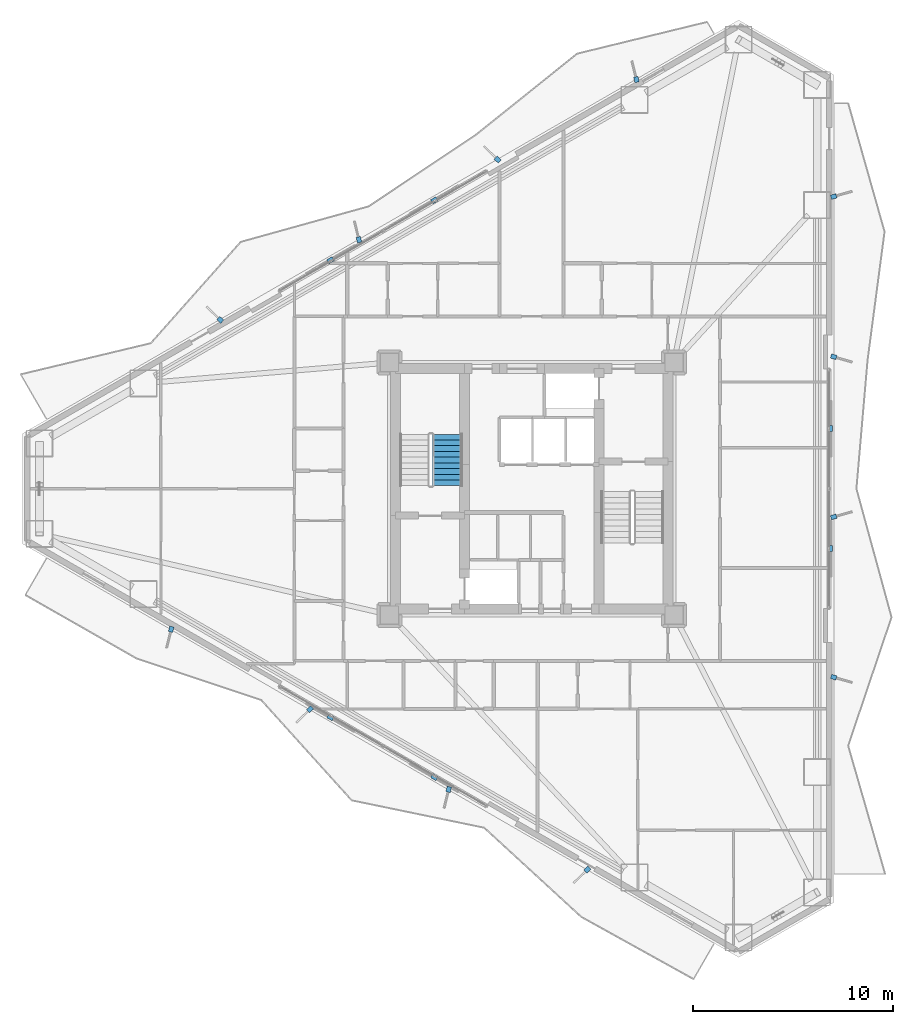
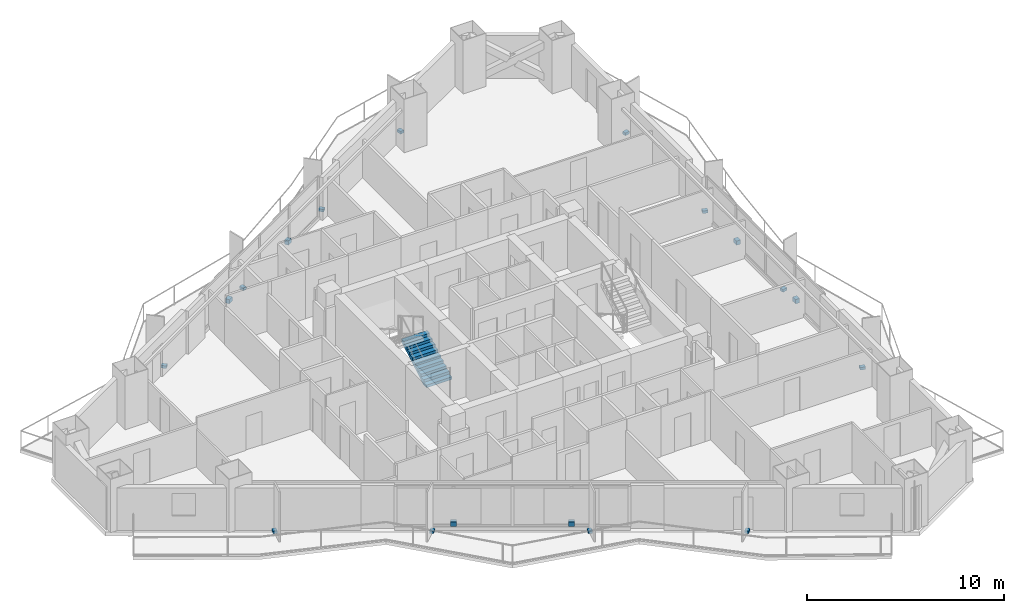
# One storey, part 17 of 19: 18 discrete accessories, 1 stair flight, 1 element without a shape of its own.
"""IFC4 building model written with IfcOpenShell, lengths in metres."""

import ifcopenshell
import ifcopenshell.guid

model = None  # the IFC model being written
_history = None  # IfcOwnerHistory: only IFC2X3 demands one
_inside = {}  # id of a spatial element -> (the spatial element, [elements in it])
_under = {}  # id of a project, library or spatial element -> (it, [spatial elements below it])
_declared = {}  # id of a project -> (the project, [libraries it declares])
_typed = {}  # id of a type object -> (the type object, [elements of that type])
_made_of = {}  # id of a material, layer set ... -> (it, [elements and type objects made of it])


def new_model(schema):
    """Start an empty IFC model of exactly this schema.

    Asked for "IFC4X3", IfcOpenShell would pick the latest addendum, in which some entities
    have other attributes; the version numbers below select the first issue.
    IFC2X3 requires an IfcOwnerHistory on every rooted entity: one is made here for all.
    """
    global model, _history
    if schema == "IFC4X3":
        model = ifcopenshell.file(schema_version=(4, 3, 0, 0))
    else:
        model = ifcopenshell.file(schema=schema)
    _inside.clear()
    _under.clear()
    _declared.clear()
    _typed.clear()
    _made_of.clear()
    _history = None
    if model.schema == "IFC2X3":
        org = make("IfcOrganization", Name="unknown")
        user = make(
            "IfcPersonAndOrganization",
            ThePerson=make("IfcPerson", FamilyName="unknown"),
            TheOrganization=org,
        )
        app = make(
            "IfcApplication",
            ApplicationDeveloper=org,
            Version="unknown",
            ApplicationFullName="unknown",
            ApplicationIdentifier="unknown",
        )
        _history = make(
            "IfcOwnerHistory",
            OwningUser=user,
            OwningApplication=app,
            ChangeAction="ADDED",
            CreationDate=0,
        )
    return model


def make(cls, **values):
    """One entity of the class cls with the attributes given. An attribute that is None is left unset."""
    return model.create_entity(
        cls, **{name: value for name, value in values.items() if value is not None}
    )


def rooted(cls, **values):
    """An entity with a GlobalId (a new one), such as an element, a storey or a relation."""
    return make(cls, GlobalId=ifcopenshell.guid.new(), OwnerHistory=_history, **values)


def si_unit(unit_type, name, prefix=None):
    """IfcSIUnit, for example si_unit("LENGTHUNIT", "METRE", prefix="MILLI")."""
    return make("IfcSIUnit", UnitType=unit_type, Prefix=prefix, Name=name)


def assignment(units):
    """IfcUnitAssignment: the units of a project."""
    return None if units is None else make("IfcUnitAssignment", Units=units)


def point(xyz):
    """IfcCartesianPoint."""
    return None if xyz is None else make("IfcCartesianPoint", Coordinates=xyz)


def direction(xyz):
    """IfcDirection."""
    return None if xyz is None else make("IfcDirection", DirectionRatios=xyz)


def frame(location, z_axis=None, x_axis=None):
    """IfcAxis2Placement3D, a coordinate frame: its origin and axes. An axis left out is left unset."""
    return make(
        "IfcAxis2Placement3D",
        Location=point(location),
        Axis=direction(z_axis),
        RefDirection=direction(x_axis),
    )


def frame_2d(location, x_axis=None):
    """IfcAxis2Placement2D, a coordinate frame in the plane: its origin and x axis."""
    return make(
        "IfcAxis2Placement2D", Location=point(location), RefDirection=direction(x_axis)
    )


def origin():
    """The frame at (0, 0, 0) with its axes left unset."""
    return frame((0.0, 0.0, 0.0))


def origin_2d():
    """The frame at (0, 0) in the plane with its x axis left unset."""
    return frame_2d((0.0, 0.0))


def place(relative_to, where):
    """IfcLocalPlacement: puts the frame where relative to a parent placement (None: the world)."""
    return make(
        "IfcLocalPlacement", PlacementRelTo=relative_to, RelativePlacement=where
    )


def context(
    kind, dimensions, precision=None, world=None, true_north=None, identifier=None
):
    """IfcGeometricRepresentationContext, for example the 3D "Model" context."""
    return make(
        "IfcGeometricRepresentationContext",
        ContextIdentifier=identifier,
        ContextType=kind,
        CoordinateSpaceDimension=dimensions,
        Precision=precision,
        WorldCoordinateSystem=world,
        TrueNorth=true_north,
    )


def subcontext(parent, identifier, kind, view, scale=None):
    """IfcGeometricRepresentationSubContext, for example "Body" below "Model"."""
    return make(
        "IfcGeometricRepresentationSubContext",
        ContextIdentifier=identifier,
        ContextType=kind,
        ParentContext=parent,
        TargetScale=scale,
        TargetView=view,
    )


def project(units=None, contexts=None):
    """IfcProject with its units and contexts."""
    return rooted(
        "IfcProject",
        Name="project",
        RepresentationContexts=contexts,
        UnitsInContext=assignment(units),
    )


def spatial(cls, under=None, at=None, **own):
    """A site, building, storey or space (cls), placed at a placement, below another one or the project."""
    s = rooted(cls, ObjectPlacement=at, **own)
    if under is not None:
        _under.setdefault(under.id(), (under, []))[1].append(s)
    return s


def polyline(points):
    """IfcPolyline through the points."""
    return make("IfcPolyline", Points=[point(p) for p in points])


def profile(cls, at=None, kind="AREA", **sizes):
    """A parametric profile (cls). Its sizes go by their IFC names, for example OverallWidth=200.0."""
    return make(cls, ProfileType=kind, Position=at, **sizes)


def rectangle(**sizes):
    """IfcRectangleProfileDef."""
    return profile("IfcRectangleProfileDef", **sizes)


def outline(outer, holes=None, kind="AREA"):
    """IfcArbitraryClosedProfileDef: a profile drawn as a closed curve; with holes, ...WithVoids."""
    if holes is None:
        return make("IfcArbitraryClosedProfileDef", ProfileType=kind, OuterCurve=outer)
    return make(
        "IfcArbitraryProfileDefWithVoids",
        ProfileType=kind,
        OuterCurve=outer,
        InnerCurves=holes,
    )


def extrude(swept, where, along, depth):
    """IfcExtrudedAreaSolid: the profile swept, set in the frame where, extruded along a direction by depth."""
    return make(
        "IfcExtrudedAreaSolid",
        SweptArea=swept,
        Position=where,
        ExtrudedDirection=direction(along),
        Depth=depth,
    )


def shape(context_of_items, identifier, shape_type, items):
    """IfcShapeRepresentation: the items that make up one representation, for example the "Body"."""
    return make(
        "IfcShapeRepresentation",
        ContextOfItems=context_of_items,
        RepresentationIdentifier=identifier,
        RepresentationType=shape_type,
        Items=items,
    )


def material(Name=None, Category=None):
    """IfcMaterial."""
    return make("IfcMaterial", Name=Name, Category=Category)


def layer(
    of_material, thickness, ventilated=None, Name=None, Category=None, Priority=None
):
    """IfcMaterialLayer: one layer of a wall or slab, of a material (None: an air gap)."""
    return make(
        "IfcMaterialLayer",
        Material=of_material,
        LayerThickness=thickness,
        IsVentilated=ventilated,
        Name=Name,
        Category=Category,
        Priority=Priority,
    )


def layer_set(layers, Name=None):
    """IfcMaterialLayerSet."""
    return make("IfcMaterialLayerSet", MaterialLayers=layers, LayerSetName=Name)


def made_of(thing, what):
    """Note that an element or type object is made of a material, layer set ...; save() writes the relation."""
    if what is not None:
        _made_of.setdefault(what.id(), (what, []))[1].append(thing)
    return thing


def type_object(cls, material=None, **own):
    """A type object (cls), such as IfcWallType, which elements share."""
    return made_of(rooted(cls, **own), material)


def element(
    cls,
    number,
    at=None,
    inside=None,
    cuts=None,
    type_object=None,
    material=None,
    context=None,
    identifier="Body",
    shape_type=None,
    held_by="IfcProductDefinitionShape",
    body=None,
    shapes=None,
    **own,
):
    """One element of the class cls, such as IfcWall. Its Tag is "e" and its number.

    at: its placement. inside: the storey or other place that contains it. cuts: it is an
    opening in that element (IfcRelVoidsElement). A single representation is given by context,
    identifier, shape_type and body (its items); several are given by shapes. held_by: the class
    of the entity that holds the representations. save() writes the other relations.
    """
    e = rooted(cls, Tag="e%d" % number, ObjectPlacement=at, **own)
    if body is not None:
        shapes = [shape(context, identifier, shape_type, body)]
    if shapes is not None:
        e.Representation = make(held_by, Representations=shapes)
    if inside is not None:
        _inside.setdefault(inside.id(), (inside, []))[1].append(e)
    if cuts is not None:
        rooted(
            "IfcRelVoidsElement", RelatingBuildingElement=cuts, RelatedOpeningElement=e
        )
    if type_object is not None:
        _typed.setdefault(type_object.id(), (type_object, []))[1].append(e)
    return made_of(e, material)


def aggregate(whole, parts):
    """IfcRelAggregates: a whole, such as a stair, and the parts it consists of."""
    return rooted("IfcRelAggregates", RelatingObject=whole, RelatedObjects=parts)


def save(model, path):
    """Write the relations noted so far, then the file.

    IfcRelAggregates (storeys below a building ...), IfcRelContainedInSpatialStructure (elements
    in a storey), IfcRelDefinesByType, IfcRelAssociatesMaterial and IfcRelDeclares: one each for
    every whole, place, type object, material and project.
    """
    for whole, parts in _under.values():
        aggregate(whole, parts)
    for where, things in _inside.values():
        rooted(
            "IfcRelContainedInSpatialStructure",
            RelatedElements=things,
            RelatingStructure=where,
        )
    for kind, things in _typed.values():
        rooted("IfcRelDefinesByType", RelatedObjects=things, RelatingType=kind)
    for what, things in _made_of.values():
        rooted("IfcRelAssociatesMaterial", RelatedObjects=things, RelatingMaterial=what)
    for by, libraries in _declared.values():
        rooted("IfcRelDeclares", RelatingContext=by, RelatedDefinitions=libraries)
    model.write(path)


model = new_model("IFC4")

# Units and contexts
model_context = context("Model", 3, precision=1e-05, world=origin(), true_north=direction((0.0, 1.0)))
body_context = subcontext(model_context, "Body", "Model", "MODEL_VIEW")
ifc_project = project(units=[si_unit("LENGTHUNIT", "METRE"), si_unit("AREAUNIT", "SQUARE_METRE"), si_unit("VOLUMEUNIT", "CUBIC_METRE"), si_unit("PLANEANGLEUNIT", "RADIAN"), si_unit("MASSUNIT", "GRAM", prefix="KILO")], contexts=[model_context])

# Site, building, storey
site_placement = place(None, origin())
site = spatial("IfcSite", under=ifc_project, at=site_placement, CompositionType="ELEMENT")
building_placement = place(site_placement, origin())
building = spatial("IfcBuilding", under=site, at=building_placement, Name="Mersakhor Tower and Convention Hall", CompositionType="ELEMENT")
storey_placement = place(building_placement, frame((0.0, 0.0, 42.300048828125)))
storey = spatial("IfcBuildingStorey", under=building, at=storey_placement, Name="L11", CompositionType="ELEMENT", Elevation=42.300048828125)

# Stair, stair flight
ifc_material_1 = material(Name="Concrete C45/55", Category="concrete")
stair_type = type_object("IfcStairType", Name="ST-TWR-20R", PredefinedType="HALF_TURN_STAIR", material=ifc_material_1)
stair_placement = place(storey_placement, origin())
stair = element("IfcStair", 1, at=stair_placement, inside=storey, type_object=stair_type, Name="L11 Tower Protected Exit Stair ST-1", PredefinedType="HALF_TURN_STAIR")
ifc_material_2 = material(Name="Concrete C45/55", Category="concrete")
stair_flight_type = type_object("IfcStairFlightType", Name="SFL-TWR-20R", PredefinedType="STRAIGHT", material=ifc_material_2)
stair_flight_placement = place(storey_placement, frame((24.800048828125, 26.89990234375, 0.0), z_axis=(0.0, 0.0, 1.0), x_axis=(0.0, 1.0, 0.0)))
stair_flight = element("IfcStairFlight", 2, at=stair_flight_placement, type_object=stair_flight_type, Name="ST-1 flight 1", NumberOfRisers=10, NumberOfTreads=9, PredefinedType="STRAIGHT", RiserHeight=0.165, TreadLength=0.285, context=body_context, shape_type="SweptSolid", body=[
    extrude(outline(polyline([(0.0, 0.0), (0.0, 0.1650390625), (0.284912109375, 0.1650390625), (0.284912109375, 0.330078125), (0.570068359375, 0.330078125), (0.570068359375, 0.4951171875), (0.85498046875, 0.4951171875), (0.85498046875, 0.659912109375), (1.139892578125, 0.659912109375), (1.139892578125, 0.824951171875), (1.425048828125, 0.824951171875), (1.425048828125, 0.989990234375), (1.7099609375, 0.989990234375), (1.7099609375, 1.155029296875), (1.9951171875, 1.155029296875), (1.9951171875, 1.320068359375), (2.280029296875, 1.320068359375), (2.280029296875, 1.485107421875), (2.56494140625, 1.485107421875), (2.56494140625, 1.64990234375), (2.56494140625, 1.311767578125), (0.299072265625, 0.0), (0.0, 0.0)])), frame((0.0, 0.75, 0.0), z_axis=(0.0, -1.0, 0.0), x_axis=(1.0, 0.0, 0.0)), (0.0, 0.0, 1.0), 1.5),
])
aggregate(stair, [stair_flight])

# Discrete accessories
ifc_material_3 = material(Name="Galvanised steel bracket", Category="steel")
ifc_layer = layer(ifc_material_3, 0.02001953125)
ifc_layer_set = layer_set([ifc_layer], Name="Galvanised steel bracket")
discrete_accessory_type = type_object("IfcDiscreteAccessoryType", Name="ACC-BRK-STL", PredefinedType="BRACKET", material=ifc_layer_set)
for number, where, z_axis, x_axis, name in (
    (3, (18.957763671875, 38.156982421875, 0.2900390625), (0.0, 0.0, 1.0), (0.866025403784, 0.5, 0.0), "L11 Solar Screen Outrigger Bracket BRK-1-1"),
    (4, (24.142333984375, 41.150390625, 0.2900390625), (0.0, 0.0, 1.0), (0.866025403784, 0.5, 0.0), "L11 Solar Screen Outrigger Bracket BRK-1-2"),
):
    element("IfcDiscreteAccessory", number, at=place(storey_placement, frame(where, z_axis=z_axis, x_axis=x_axis)), inside=storey, type_object=discrete_accessory_type, Name=name, PredefinedType="BRACKET", context=body_context, shape_type="SweptSolid", body=[
        extrude(rectangle(XDim=0.300048828125, YDim=0.239990234375, at=origin_2d()), origin(), (0.0, 0.0, 1.0), 0.260009765625),
    ])
for number, where, z_axis, x_axis, name in (
    (5, (13.44580078125, 35.1826171875, -0.02001953125), (0.0, 0.0, 1.0), (-0.719339800339, 0.694658370459, 0.0), "L11 Facade Fin Base Cleat Bracket FBRK-1-1"),
    (6, (20.3740234375, 39.1826171875, -0.02001953125), (0.0, 0.0, 1.0), (-0.2419218956, 0.970295726276, 0.0), "L11 Facade Fin Base Cleat Bracket FBRK-1-2"),
    (7, (27.30224609375, 43.1826171875, -0.02001953125), (0.0, 0.0, 1.0), (-0.719339800339, 0.694658370459, 0.0), "L11 Facade Fin Base Cleat Bracket FBRK-1-3"),
    (8, (34.23046875, 47.1826171875, -0.02001953125), (0.0, 0.0, 1.0), (-0.2419218956, 0.970295726276, 0.0), "L11 Facade Fin Base Cleat Bracket FBRK-1-4"),
):
    element("IfcDiscreteAccessory", number, at=place(storey_placement, frame(where, z_axis=z_axis, x_axis=x_axis)), inside=storey, type_object=discrete_accessory_type, Name=name, PredefinedType="BRACKET", context=body_context, shape_type="SweptSolid", body=[
        extrude(rectangle(XDim=0.280029296875, YDim=0.219970703125, at=origin_2d()), origin(), (0.0, 0.0, 1.0), 0.159912109375),
    ])
for number, where, z_axis, x_axis, name in (
    (9, (43.89990234375, 29.743408203125, 0.2900390625), (0.0, 0.0, 1.0), (0.0, -1.0, 0.0), "L11 Solar Screen Outrigger Bracket BRK-2-1"),
    (10, (43.89990234375, 23.756591796875, 0.2900390625), (0.0, 0.0, 1.0), (0.0, -1.0, 0.0), "L11 Solar Screen Outrigger Bracket BRK-2-2"),
):
    element("IfcDiscreteAccessory", number, at=place(storey_placement, frame(where, z_axis=z_axis, x_axis=x_axis)), inside=storey, type_object=discrete_accessory_type, Name=name, PredefinedType="BRACKET", context=body_context, shape_type="SweptSolid", body=[
        extrude(rectangle(XDim=0.300048828125, YDim=0.239990234375, at=origin_2d()), origin(), (0.0, 0.0, 1.0), 0.260009765625),
    ])
for number, where, z_axis, x_axis, name in (
    (11, (44.080078125, 41.33740234375, -0.02001953125), (0.0, 0.0, 1.0), (0.961261695938, 0.275637355817, 0.0), "L11 Facade Fin Base Cleat Bracket FBRK-2-1"),
    (12, (44.080078125, 33.33740234375, -0.02001953125), (0.0, 0.0, 1.0), (0.961261695938, -0.275637355817, 0.0), "L11 Facade Fin Base Cleat Bracket FBRK-2-2"),
    (13, (44.080078125, 25.33740234375, -0.02001953125), (0.0, 0.0, 1.0), (0.961261695938, 0.275637355817, 0.0), "L11 Facade Fin Base Cleat Bracket FBRK-2-3"),
    (14, (44.080078125, 17.33740234375, -0.02001953125), (0.0, 0.0, 1.0), (0.961261695938, -0.275637355817, 0.0), "L11 Facade Fin Base Cleat Bracket FBRK-2-4"),
):
    element("IfcDiscreteAccessory", number, at=place(storey_placement, frame(where, z_axis=z_axis, x_axis=x_axis)), inside=storey, type_object=discrete_accessory_type, Name=name, PredefinedType="BRACKET", context=body_context, shape_type="SweptSolid", body=[
        extrude(rectangle(XDim=0.280029296875, YDim=0.219970703125, at=origin_2d()), origin(), (0.0, 0.0, 1.0), 0.159912109375),
    ])
for number, where, z_axis, x_axis, name in (
    (15, (24.14208984375, 12.349609375, 0.2900390625), (0.0, 0.0, 1.0), (-0.866025403784, 0.5, 0.0), "L11 Solar Screen Outrigger Bracket BRK-3-1"),
    (16, (18.957763671875, 15.3427734375, 0.2900390625), (0.0, 0.0, 1.0), (-0.866025403784, 0.5, 0.0), "L11 Solar Screen Outrigger Bracket BRK-3-2"),
):
    element("IfcDiscreteAccessory", number, at=place(storey_placement, frame(where, z_axis=z_axis, x_axis=x_axis)), inside=storey, type_object=discrete_accessory_type, Name=name, PredefinedType="BRACKET", context=body_context, shape_type="SweptSolid", body=[
        extrude(rectangle(XDim=0.300048828125, YDim=0.239990234375, at=origin_2d()), origin(), (0.0, 0.0, 1.0), 0.260009765625),
    ])
for number, where, z_axis, x_axis, name in (
    (17, (31.78369140625, 7.72998046875, -0.02001953125), (0.0, 0.0, 1.0), (-0.719339800339, -0.694658370459, 0.0), "L11 Facade Fin Base Cleat Bracket FBRK-3-1"),
    (18, (24.85546875, 11.72998046875, -0.02001953125), (0.0, 0.0, 1.0), (-0.2419218956, -0.970295726276, 0.0), "L11 Facade Fin Base Cleat Bracket FBRK-3-2"),
    (19, (17.92724609375, 15.72998046875, -0.02001953125), (0.0, 0.0, 1.0), (-0.719339800339, -0.694658370459, 0.0), "L11 Facade Fin Base Cleat Bracket FBRK-3-3"),
    (20, (10.9990234375, 19.72998046875, -0.02001953125), (0.0, 0.0, 1.0), (-0.2419218956, -0.970295726276, 0.0), "L11 Facade Fin Base Cleat Bracket FBRK-3-4"),
):
    element("IfcDiscreteAccessory", number, at=place(storey_placement, frame(where, z_axis=z_axis, x_axis=x_axis)), inside=storey, type_object=discrete_accessory_type, Name=name, PredefinedType="BRACKET", context=body_context, shape_type="SweptSolid", body=[
        extrude(rectangle(XDim=0.280029296875, YDim=0.219970703125, at=origin_2d()), origin(), (0.0, 0.0, 1.0), 0.159912109375),
    ])

save(model, "model.ifc")
